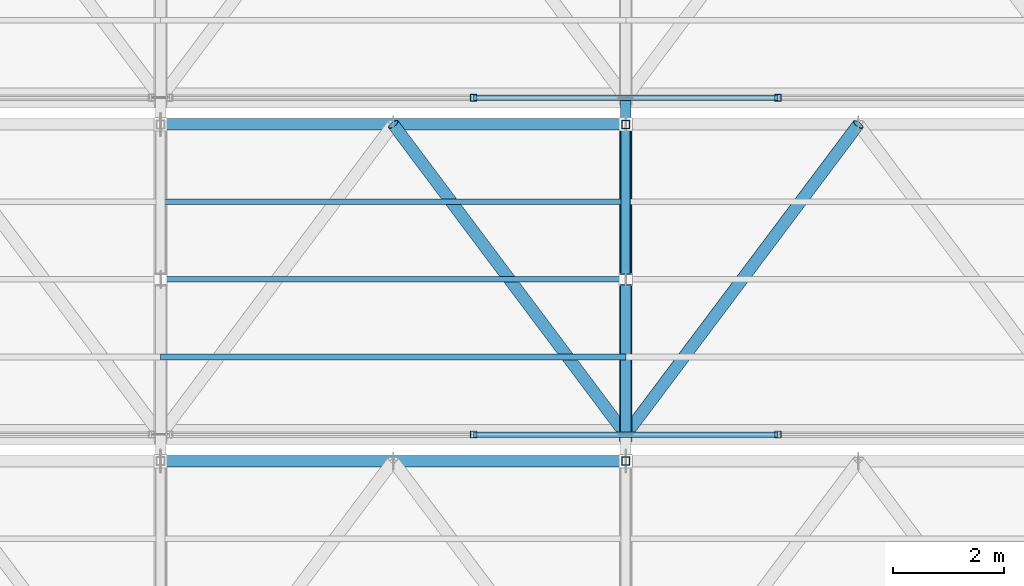
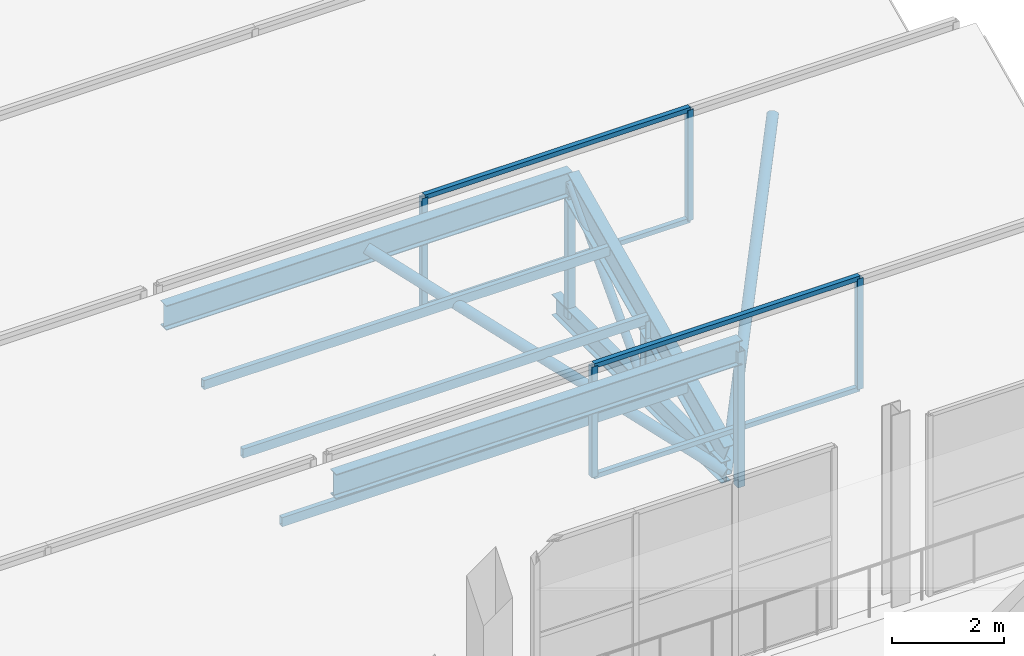
# One storey, part 99 of 217: 21 members, 2 elements without a shape of their own.
"""IFC4 building model written with IfcOpenShell, lengths in metres."""

from ifc_helpers import new_model, si_unit, direction, frame, origin, origin_2d, place, context, subcontext, project, spatial, hollow_rectangle, hollow_circle, i_section, extrude, material, material_profile, profile_set, type_object, element, aggregate, save


model = new_model("IFC4")

# Units and contexts
model_context = context("Model", 3, precision=1e-05, world=origin(), true_north=direction((0.0, 1.0)))
body_context = subcontext(model_context, "Body", "Model", "MODEL_VIEW")
ifc_project = project(units=[si_unit("LENGTHUNIT", "METRE"), si_unit("AREAUNIT", "SQUARE_METRE"), si_unit("VOLUMEUNIT", "CUBIC_METRE"), si_unit("PLANEANGLEUNIT", "RADIAN"), si_unit("MASSUNIT", "GRAM", prefix="KILO")], contexts=[model_context])

# Site, building, storey
site_placement = place(None, origin())
site = spatial("IfcSite", under=ifc_project, at=site_placement, CompositionType="ELEMENT")
building_placement = place(site_placement, origin())
building = spatial("IfcBuilding", under=site, at=building_placement, Name="Zuvorla Pavilion Media Centre", CompositionType="ELEMENT")
storey_placement = place(building_placement, frame((0.0, 0.0, 9.60009765625)))
storey = spatial("IfcBuildingStorey", under=building, at=storey_placement, Name="L02", CompositionType="ELEMENT", Elevation=9.60009765625)

# Curtain wall, members
ifc_material_1 = material(Name="Unitised anodised aluminium and solar glass curtain wall", Category="aluminium")
curtain_wall_type = type_object("IfcCurtainWallType", Name="CW-SYS-88", PredefinedType="USERDEFINED", material=ifc_material_1)
curtain_wall_1_placement = place(storey_placement, origin())
curtain_wall_1 = element("IfcCurtainWall", 1, at=curtain_wall_1_placement, inside=storey, type_object=curtain_wall_type, Name="L02 curtain wall CW88 203", ObjectType="CURTAIN WALL", PredefinedType="USERDEFINED")
ifc_material_2 = material(Name="Anodised aluminium 6063-T6", Category="aluminium")
ifc_material_profile_1 = material_profile(ifc_material_2, hollow_rectangle(XDim=0.1201171875, YDim=0.1201171875, WallThickness=0.0048828125, at=origin_2d()), Name="ALU MULL 120x120")
ifc_profile_set_1 = profile_set([ifc_material_profile_1], Name="Anodised aluminium 6063-T6")
member_type_1 = type_object("IfcMemberType", Name="CW-MULL-120", PredefinedType="MULLION", material=ifc_profile_set_1)
member_1_placement = place(storey_placement, frame((122.853271484375, 95.679931640625, 0.0), z_axis=(0.0, 0.0, 1.0), x_axis=(1.0, 0.0, 0.0)))
member_1 = element("IfcMember", 2, at=member_1_placement, type_object=member_type_1, Name="CW88 mullion 2", PredefinedType="MULLION", context=body_context, shape_type="SweptSolid", body=[
    extrude(hollow_rectangle(XDim=0.1201171875, YDim=0.1201171875, WallThickness=0.0048828125, at=origin_2d()), origin(), (0.0, 0.0, 1.0), 2.419921875),
])
member_2_placement = place(storey_placement, frame((128.3466796875, 95.679931640625, 0.0), z_axis=(0.0, 0.0, 1.0), x_axis=(1.0, 0.0, 0.0)))
member_2 = element("IfcMember", 3, at=member_2_placement, type_object=member_type_1, Name="CW88 mullion 3", PredefinedType="MULLION", context=body_context, shape_type="SweptSolid", body=[
    extrude(hollow_rectangle(XDim=0.1201171875, YDim=0.1201171875, WallThickness=0.0048828125, at=origin_2d()), origin(), (0.0, 0.0, 1.0), 2.419921875),
])

curtain_wall_2_placement = place(storey_placement, origin())
curtain_wall_2 = element("IfcCurtainWall", 4, at=curtain_wall_2_placement, inside=storey, type_object=curtain_wall_type, Name="L02 curtain wall CW88 207", ObjectType="CURTAIN WALL", PredefinedType="USERDEFINED")
member_3_placement = place(storey_placement, frame((122.853271484375, 101.760009765625, 0.0), z_axis=(0.0, 0.0, 1.0), x_axis=(1.0, 0.0, 0.0)))
member_3 = element("IfcMember", 5, at=member_3_placement, type_object=member_type_1, Name="CW88 mullion 2", PredefinedType="MULLION", context=body_context, shape_type="SweptSolid", body=[
    extrude(hollow_rectangle(XDim=0.1201171875, YDim=0.1201171875, WallThickness=0.0048828125, at=origin_2d()), origin(), (0.0, 0.0, 1.0), 2.419921875),
])
member_4_placement = place(storey_placement, frame((128.3466796875, 101.760009765625, 0.0), z_axis=(0.0, 0.0, 1.0), x_axis=(1.0, 0.0, 0.0)))
member_4 = element("IfcMember", 6, at=member_4_placement, type_object=member_type_1, Name="CW88 mullion 3", PredefinedType="MULLION", context=body_context, shape_type="SweptSolid", body=[
    extrude(hollow_rectangle(XDim=0.1201171875, YDim=0.1201171875, WallThickness=0.0048828125, at=origin_2d()), origin(), (0.0, 0.0, 1.0), 2.419921875),
])

# Member
ifc_material_profile_2 = material_profile(ifc_material_2, hollow_rectangle(XDim=0.10009765625, YDim=0.10009765625, WallThickness=0.00439453125, at=origin_2d()), Name="ALU TRAN 100x100")
ifc_profile_set_2 = profile_set([ifc_material_profile_2], Name="Anodised aluminium 6063-T6")
member_type_2 = type_object("IfcMemberType", Name="CW-TRAN-100", PredefinedType="USERDEFINED", material=ifc_profile_set_2)
member_5_placement = place(storey_placement, frame((122.853271484375, 95.679931640625, 0.0), z_axis=(1.0, 0.0, 0.0), x_axis=(0.0, 1.0, 0.0)))
member_5 = element("IfcMember", 7, at=member_5_placement, type_object=member_type_2, Name="CW88 transom 2.1", ObjectType="TRANSOM", PredefinedType="USERDEFINED", context=body_context, shape_type="SweptSolid", body=[
    extrude(hollow_rectangle(XDim=0.10009765625, YDim=0.10009765625, WallThickness=0.00439453125, at=origin_2d()), origin(), (0.0, 0.0, 1.0), 5.493408203125),
])

member_6_placement = place(storey_placement, frame((122.853271484375, 95.679931640625, 2.419921875), z_axis=(1.0, 0.0, 0.0), x_axis=(0.0, 1.0, 0.0)))
member_6 = element("IfcMember", 8, at=member_6_placement, type_object=member_type_2, Name="CW88 transom 2.2", ObjectType="TRANSOM", PredefinedType="USERDEFINED", context=body_context, shape_type="SweptSolid", body=[
    extrude(hollow_rectangle(XDim=0.10009765625, YDim=0.10009765625, WallThickness=0.00439453125, at=origin_2d()), origin(), (0.0, 0.0, 1.0), 5.493408203125),
])

aggregate(curtain_wall_1, [member_1, member_2, member_5, member_6])

member_7_placement = place(storey_placement, frame((122.853271484375, 101.760009765625, 0.0), z_axis=(1.0, 0.0, 0.0), x_axis=(0.0, 1.0, 0.0)))
member_7 = element("IfcMember", 9, at=member_7_placement, type_object=member_type_2, Name="CW88 transom 2.1", ObjectType="TRANSOM", PredefinedType="USERDEFINED", context=body_context, shape_type="SweptSolid", body=[
    extrude(hollow_rectangle(XDim=0.10009765625, YDim=0.10009765625, WallThickness=0.00439453125, at=origin_2d()), origin(), (0.0, 0.0, 1.0), 5.493408203125),
])

member_8_placement = place(storey_placement, frame((122.853271484375, 101.760009765625, 2.419921875), z_axis=(1.0, 0.0, 0.0), x_axis=(0.0, 1.0, 0.0)))
member_8 = element("IfcMember", 10, at=member_8_placement, type_object=member_type_2, Name="CW88 transom 2.2", ObjectType="TRANSOM", PredefinedType="USERDEFINED", context=body_context, shape_type="SweptSolid", body=[
    extrude(hollow_rectangle(XDim=0.10009765625, YDim=0.10009765625, WallThickness=0.00439453125, at=origin_2d()), origin(), (0.0, 0.0, 1.0), 5.493408203125),
])

aggregate(curtain_wall_2, [member_3, member_4, member_7, member_8])

# Members
ifc_material_3 = material(Name="Steel S355", Category="steel")
ifc_material_profile_3 = material_profile(ifc_material_3, hollow_circle(Radius=0.084228515625, WallThickness=0.008056640625, at=origin_2d()), Name="CHS 168.3x8")
ifc_profile_set_3 = profile_set([ifc_material_profile_3], Name="Steel S355")
member_type_3 = type_object("IfcMemberType", Name="MEM-BRC-CHS168", PredefinedType="BRACE", material=ifc_profile_set_3)
member_9_placement = place(storey_placement, frame((125.60009765625, 98.47998046875, -0.880126953125), z_axis=(0.0, 0.68676242614, 0.726881950555), x_axis=(-1.0, 0.0, 0.0)))
element("IfcMember", 11, at=member_9_placement, inside=storey, type_object=member_type_3, Name="L02 diagonal brace TB03 164", PredefinedType="BRACE", context=body_context, shape_type="SweptSolid", body=[
    extrude(hollow_circle(Radius=0.084228515625, WallThickness=0.008056640625, at=origin_2d()), origin(), (0.0, 0.0, 1.0), 4.0771484375),
])
ifc_material_profile_4 = material_profile(ifc_material_3, hollow_circle(Radius=0.109619140625, WallThickness=0.010009765625, at=origin_2d()), Name="CHS 219.1x10")
ifc_profile_set_4 = profile_set([ifc_material_profile_4], Name="Steel S355")
member_type_4 = type_object("IfcMemberType", Name="MEM-BRC-CHS219", PredefinedType="BRACE", material=ifc_profile_set_4)
member_10_placement = place(storey_placement, frame((121.39990234375, 101.280029296875, 2.08349609375), z_axis=(0.552533909139, -0.736690467788, -0.389863352885), x_axis=(0.79999162962, 0.600011160345, 0.0)))
element("IfcMember", 12, at=member_10_placement, inside=storey, type_object=member_type_4, Name="L02 diagonal brace TB02 209", PredefinedType="BRACE", context=body_context, shape_type="SweptSolid", body=[
    extrude(hollow_circle(Radius=0.109619140625, WallThickness=0.010009765625, at=origin_2d()), origin(), (0.0, 0.0, 1.0), 7.601806640625),
])
member_11_placement = place(storey_placement, frame((125.60009765625, 95.679931640625, -0.880126953125), z_axis=(0.552511596944, 0.736703540702, 0.389870271191), x_axis=(-0.800008370399, 0.599988839305, 0.0)))
element("IfcMember", 13, at=member_11_placement, inside=storey, type_object=member_type_4, Name="L02 diagonal brace TB02 214", PredefinedType="BRACE", context=body_context, shape_type="SweptSolid", body=[
    extrude(hollow_circle(Radius=0.109619140625, WallThickness=0.010009765625, at=origin_2d()), origin(), (0.0, 0.0, 1.0), 7.6015625),
])
ifc_material_profile_5 = material_profile(ifc_material_3, i_section(OverallWidth=0.19140625, OverallDepth=0.4599609375, WebThickness=0.010009765625, FlangeThickness=0.01611328125, FilletRadius=0.01025390625, at=origin_2d()), Name="UB 457x191x82")
ifc_profile_set_5 = profile_set([ifc_material_profile_5], Name="Steel S355")
member_type_5 = type_object("IfcMemberType", Name="MEM-CHD-UB457", PredefinedType="CHORD", material=ifc_profile_set_5)
member_12_placement = place(storey_placement, frame((125.60009765625, 95.679931640625, -0.880126953125), z_axis=(0.0, 1.0, 0.0), x_axis=(-1.0, 0.0, 0.0)))
element("IfcMember", 14, at=member_12_placement, inside=storey, type_object=member_type_5, Name="L02 chord TC03 161", PredefinedType="CHORD", context=body_context, shape_type="SweptSolid", body=[
    extrude(i_section(OverallWidth=0.19140625, OverallDepth=0.4599609375, WebThickness=0.010009765625, FlangeThickness=0.01611328125, FilletRadius=0.01025390625, at=origin_2d()), origin(), (0.0, 0.0, 1.0), 6.080078125),
])
ifc_material_profile_6 = material_profile(ifc_material_3, i_section(OverallWidth=0.2099609375, OverallDepth=0.53662109375, WebThickness=0.0107421875, FlangeThickness=0.017333984375, FilletRadius=0.0126953125, at=origin_2d()), Name="UB 533x210x101")
ifc_profile_set_6 = profile_set([ifc_material_profile_6], Name="Steel S355")
member_type_6 = type_object("IfcMemberType", Name="MEM-CHD-UB533", PredefinedType="CHORD", material=ifc_profile_set_6)
for number, where, z_axis, x_axis, name in (
    (15, (117.199951171875, 95.199951171875, 2.08349609375), (1.0, 0.0, 0.0), (0.0, 1.0, 0.0), "L02 chord TC02 114"),
    (16, (117.199951171875, 101.280029296875, 2.08349609375), (1.0, 0.0, 0.0), (0.0, 1.0, 0.0), "L02 chord TC02 207"),
):
    element("IfcMember", number, at=place(storey_placement, frame(where, z_axis=z_axis, x_axis=x_axis)), inside=storey, type_object=member_type_6, Name=name, PredefinedType="CHORD", context=body_context, shape_type="SweptSolid", body=[
        extrude(i_section(OverallWidth=0.2099609375, OverallDepth=0.53662109375, WebThickness=0.0107421875, FlangeThickness=0.017333984375, FilletRadius=0.0126953125, at=origin_2d()), origin(), (0.0, 0.0, 1.0), 8.400146484375),
    ])
ifc_material_profile_7 = material_profile(ifc_material_3, i_section(OverallWidth=0.22900390625, OverallDepth=0.6123046875, WebThickness=0.011962890625, FlangeThickness=0.01953125, FilletRadius=0.0126953125, at=origin_2d()), Name="UB 610x229x125")
ifc_profile_set_7 = profile_set([ifc_material_profile_7], Name="Steel S355")
member_type_7 = type_object("IfcMemberType", Name="MEM-CHD-UB610", PredefinedType="CHORD", material=ifc_profile_set_7)
member_13_placement = place(storey_placement, frame((125.60009765625, 95.679931640625, -0.5166015625), z_axis=(0.0, 0.907005731366, 0.421118277053), x_axis=(-1.0, 0.0, 0.0)))
element("IfcMember", 17, at=member_13_placement, inside=storey, type_object=member_type_7, Name="L02 chord TC01 162", PredefinedType="CHORD", context=body_context, shape_type="SweptSolid", body=[
    extrude(i_section(OverallWidth=0.22900390625, OverallDepth=0.6123046875, WebThickness=0.011962890625, FlangeThickness=0.01953125, FilletRadius=0.0126953125, at=origin_2d()), origin(), (0.0, 0.0, 1.0), 6.17431640625),
])
ifc_material_profile_8 = material_profile(ifc_material_3, hollow_rectangle(XDim=0.10009765625, YDim=0.199951171875, WallThickness=0.008056640625, at=origin_2d()), Name="RHS 200x100x8")
ifc_profile_set_8 = profile_set([ifc_material_profile_8], Name="Steel S355")
member_type_8 = type_object("IfcMemberType", Name="MEM-PUR-RHS200", PredefinedType="PURLIN", material=ifc_profile_set_8)
for number, where, z_axis, x_axis, name in (
    (18, (117.199951171875, 97.080078125, 0.133544921875), (1.0, 0.0, 0.0), (0.0, 1.0, 0.0), "L02 purlin PR01 210"),
    (19, (117.199951171875, 98.47998046875, 0.783447265625), (1.0, 0.0, 0.0), (0.0, 1.0, 0.0), "L02 purlin PR01 211"),
    (20, (117.199951171875, 99.8798828125, 1.43359375), (1.0, 0.0, 0.0), (0.0, 1.0, 0.0), "L02 purlin PR01 212"),
):
    element("IfcMember", number, at=place(storey_placement, frame(where, z_axis=z_axis, x_axis=x_axis)), inside=storey, type_object=member_type_8, Name=name, PredefinedType="PURLIN", context=body_context, shape_type="SweptSolid", body=[
        extrude(hollow_rectangle(XDim=0.10009765625, YDim=0.199951171875, WallThickness=0.008056640625, at=origin_2d()), origin(), (0.0, 0.0, 1.0), 8.400146484375),
    ])
ifc_material_profile_9 = material_profile(ifc_material_3, hollow_rectangle(XDim=0.14990234375, YDim=0.14990234375, WallThickness=0.008056640625, at=origin_2d()), Name="SHS 150x150x8")
ifc_profile_set_9 = profile_set([ifc_material_profile_9], Name="Steel S355")
member_type_9 = type_object("IfcMemberType", Name="MEM-STR-SHS150", PredefinedType="STRUT", material=ifc_profile_set_9)
for number, where, z_axis, x_axis, name in (
    (21, (125.60009765625, 95.199951171875, -0.880126953125), (0.0, 0.0, 1.0), (1.0, 0.0, 0.0), "L02 vertical strut TS01 70"),
    (22, (125.60009765625, 101.280029296875, -0.880126953125), (0.0, 0.0, 1.0), (1.0, 0.0, 0.0), "L02 vertical strut TS01 163"),
):
    element("IfcMember", number, at=place(storey_placement, frame(where, z_axis=z_axis, x_axis=x_axis)), inside=storey, type_object=member_type_9, Name=name, PredefinedType="STRUT", context=body_context, shape_type="SweptSolid", body=[
        extrude(hollow_rectangle(XDim=0.14990234375, YDim=0.14990234375, WallThickness=0.008056640625, at=origin_2d()), origin(), (0.0, 0.0, 1.0), 2.963623046875),
    ])
ifc_material_profile_10 = material_profile(ifc_material_3, i_section(OverallWidth=0.205810546875, OverallDepth=0.209716796875, WebThickness=0.009521484375, FlangeThickness=0.01416015625, FilletRadius=0.01025390625, at=origin_2d()), Name="UC 203x203x60")
ifc_profile_set_10 = profile_set([ifc_material_profile_10], Name="Steel S355")
member_type_10 = type_object("IfcMemberType", Name="MEM-STR-UC203", PredefinedType="STRUT", material=ifc_profile_set_10)
member_14_placement = place(storey_placement, frame((125.60009765625, 98.47998046875, -0.880126953125), z_axis=(0.0, 0.0, 1.0), x_axis=(1.0, 0.0, 0.0)))
element("IfcMember", 23, at=member_14_placement, inside=storey, type_object=member_type_10, Name="L02 vertical strut TS02 165", PredefinedType="STRUT", context=body_context, shape_type="SweptSolid", body=[
    extrude(i_section(OverallWidth=0.205810546875, OverallDepth=0.209716796875, WebThickness=0.009521484375, FlangeThickness=0.01416015625, FilletRadius=0.01025390625, at=origin_2d()), origin(), (0.0, 0.0, 1.0), 1.66357421875),
])

save(model, "model.ifc")
